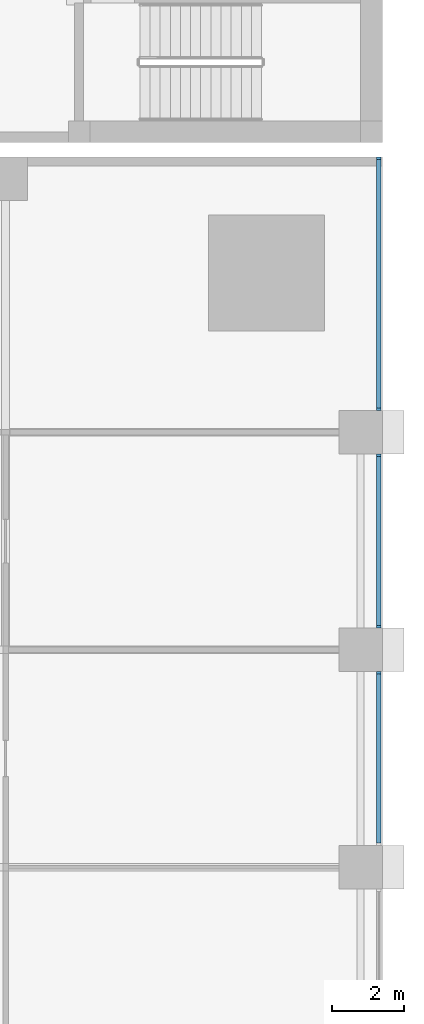
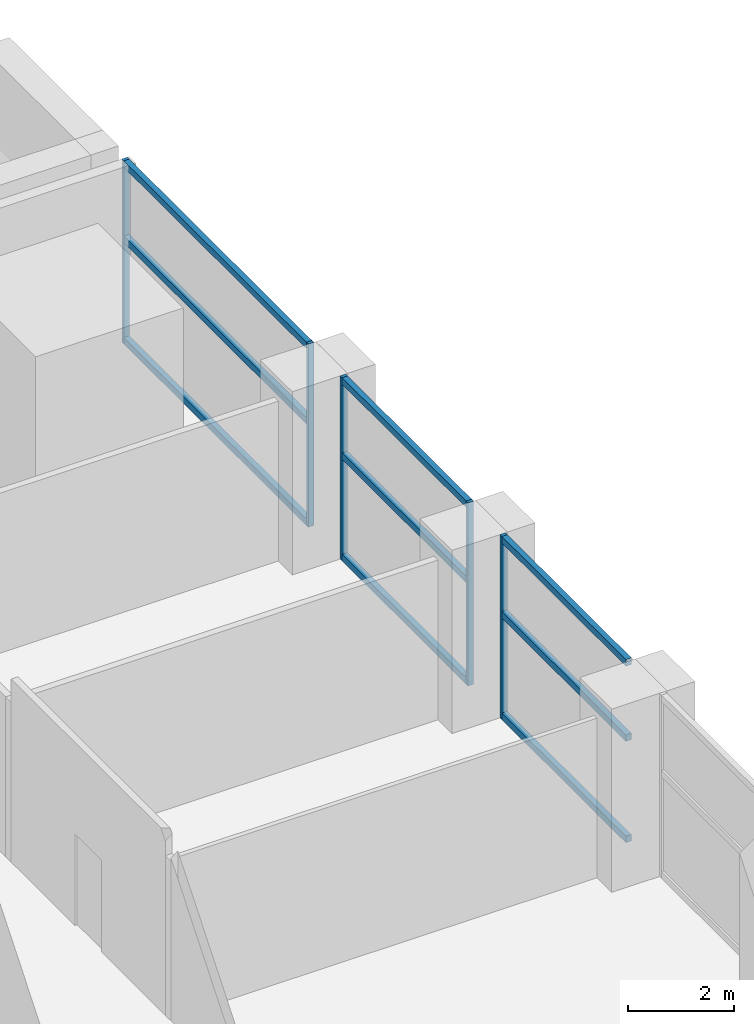
# One storey, part 7 of 25: 14 members, 3 elements without a shape of their own.
"""IFC4 building model written with IfcOpenShell, lengths in metres."""

from ifc_helpers import new_model, si_unit, direction, frame, origin, origin_2d, place, context, subcontext, project, spatial, rectangle, extrude, material, material_profile, profile_set, type_object, element, aggregate, save


model = new_model("IFC4")

# Units and contexts
model_context = context("Model", 3, precision=1e-05, world=origin(), true_north=direction((0.0, 1.0)))
body_context = subcontext(model_context, "Body", "Model", "MODEL_VIEW")
ifc_project = project(units=[si_unit("LENGTHUNIT", "METRE"), si_unit("AREAUNIT", "SQUARE_METRE"), si_unit("VOLUMEUNIT", "CUBIC_METRE"), si_unit("PLANEANGLEUNIT", "RADIAN"), si_unit("MASSUNIT", "GRAM", prefix="KILO")], contexts=[model_context])

# Site, building, storey
site_placement = place(None, origin())
site = spatial("IfcSite", under=ifc_project, at=site_placement, CompositionType="ELEMENT")
building_placement = place(site_placement, origin())
building = spatial("IfcBuilding", under=site, at=building_placement, Name="Amberfall Residences", CompositionType="ELEMENT")
storey_placement = place(building_placement, frame((0.0, 0.0, 14.5)))
storey = spatial("IfcBuildingStorey", under=building, at=storey_placement, Name="L03", CompositionType="ELEMENT", Elevation=14.5)

# Curtain wall, member
ifc_material_1 = material(Name="Bronze anodised aluminium and glass", Category="aluminium")
curtain_wall_type = type_object("IfcCurtainWallType", Name="Curtain wall CW4 podium storefront", PredefinedType="USERDEFINED", material=ifc_material_1)
curtain_wall_1_placement = place(storey_placement, origin())
curtain_wall_1 = element("IfcCurtainWall", 1, at=curtain_wall_1_placement, inside=storey, type_object=curtain_wall_type, Name="Storefront L03 E5", ObjectType="UNITISED CURTAIN WALL", PredefinedType="USERDEFINED")
ifc_material_2 = material(Name="Bronze anodised aluminium", Category="aluminium")
ifc_material_profile_1 = material_profile(ifc_material_2, rectangle(XDim=0.1201171875, YDim=0.070068359375, at=origin_2d()), Name="CW4 mullion 70 x 120 bronze")
ifc_profile_set_1 = profile_set([ifc_material_profile_1], Name="Bronze anodised aluminium")
member_type_1 = type_object("IfcMemberType", Name="CW4 mullion 70 x 120 bronze", PredefinedType="MULLION", material=ifc_profile_set_1)
member_1_placement = place(storey_placement, frame((99.89990234375, 53.764892578125, 0.0), z_axis=(0.0, 0.0, 1.0), x_axis=(-1.0, 0.0, 0.0)))
member_1 = element("IfcMember", 2, at=member_1_placement, type_object=member_type_1, Name="CW4 mullion 2", PredefinedType="MULLION", context=body_context, shape_type="SweptSolid", body=[
    extrude(rectangle(XDim=0.1201171875, YDim=0.070068359375, at=origin_2d()), origin(), (0.0, 0.0, 1.0), 4.199951171875),
])

# Curtain wall, members
curtain_wall_2_placement = place(storey_placement, origin())
curtain_wall_2 = element("IfcCurtainWall", 3, at=curtain_wall_2_placement, inside=storey, type_object=curtain_wall_type, Name="Storefront L03 E6", ObjectType="UNITISED CURTAIN WALL", PredefinedType="USERDEFINED")
member_2_placement = place(storey_placement, frame((99.89990234375, 55.034912109375, 0.0), z_axis=(0.0, 0.0, 1.0), x_axis=(-1.0, 0.0, 0.0)))
member_2 = element("IfcMember", 4, at=member_2_placement, type_object=member_type_1, Name="CW4 mullion 1", PredefinedType="MULLION", context=body_context, shape_type="SweptSolid", body=[
    extrude(rectangle(XDim=0.1201171875, YDim=0.070068359375, at=origin_2d()), origin(), (0.0, 0.0, 1.0), 4.199951171875),
])
member_3_placement = place(storey_placement, frame((99.89990234375, 59.764892578125, 0.0), z_axis=(0.0, 0.0, 1.0), x_axis=(-1.0, 0.0, 0.0)))
member_3 = element("IfcMember", 5, at=member_3_placement, type_object=member_type_1, Name="CW4 mullion 2", PredefinedType="MULLION", context=body_context, shape_type="SweptSolid", body=[
    extrude(rectangle(XDim=0.1201171875, YDim=0.070068359375, at=origin_2d()), origin(), (0.0, 0.0, 1.0), 4.199951171875),
])

curtain_wall_3_placement = place(storey_placement, origin())
curtain_wall_3 = element("IfcCurtainWall", 6, at=curtain_wall_3_placement, inside=storey, type_object=curtain_wall_type, Name="Storefront L03 E7", ObjectType="UNITISED CURTAIN WALL", PredefinedType="USERDEFINED")
member_4_placement = place(storey_placement, frame((99.89990234375, 61.034912109375, 0.0), z_axis=(0.0, 0.0, 1.0), x_axis=(-1.0, 0.0, 0.0)))
member_4 = element("IfcMember", 7, at=member_4_placement, type_object=member_type_1, Name="CW4 mullion 1", PredefinedType="MULLION", context=body_context, shape_type="SweptSolid", body=[
    extrude(rectangle(XDim=0.1201171875, YDim=0.070068359375, at=origin_2d()), origin(), (0.0, 0.0, 1.0), 4.199951171875),
])
member_5_placement = place(storey_placement, frame((99.89990234375, 67.965087890625, 0.0), z_axis=(0.0, 0.0, 1.0), x_axis=(-1.0, 0.0, 0.0)))
member_5 = element("IfcMember", 8, at=member_5_placement, type_object=member_type_1, Name="CW4 mullion 2", PredefinedType="MULLION", context=body_context, shape_type="SweptSolid", body=[
    extrude(rectangle(XDim=0.1201171875, YDim=0.070068359375, at=origin_2d()), origin(), (0.0, 0.0, 1.0), 4.199951171875),
])

# Member
ifc_material_profile_2 = material_profile(ifc_material_2, rectangle(XDim=0.1201171875, YDim=0.14990234375, at=origin_2d()), Name="CW4 transom 120 x 150 bronze")
ifc_profile_set_2 = profile_set([ifc_material_profile_2], Name="Bronze anodised aluminium")
member_type_2 = type_object("IfcMemberType", Name="CW4 transom 120 x 150 bronze", PredefinedType="USERDEFINED", material=ifc_profile_set_2)
member_6_placement = place(storey_placement, frame((99.89990234375, 49.070068359375, 0.074951171875), z_axis=(0.0, 1.0, 0.0), x_axis=(-1.0, 0.0, 0.0)))
member_6 = element("IfcMember", 9, at=member_6_placement, type_object=member_type_2, Name="CW4 transom 1.1", ObjectType="TRANSOM", PredefinedType="USERDEFINED", context=body_context, shape_type="SweptSolid", body=[
    extrude(rectangle(XDim=0.1201171875, YDim=0.14990234375, at=origin_2d()), origin(), (0.0, 0.0, 1.0), 4.659912109375),
])

member_7_placement = place(storey_placement, frame((99.89990234375, 49.070068359375, 2.39990234375), z_axis=(0.0, 1.0, 0.0), x_axis=(-1.0, 0.0, 0.0)))
member_7 = element("IfcMember", 10, at=member_7_placement, type_object=member_type_2, Name="CW4 transom 1.2", ObjectType="TRANSOM", PredefinedType="USERDEFINED", context=body_context, shape_type="SweptSolid", body=[
    extrude(rectangle(XDim=0.1201171875, YDim=0.14990234375, at=origin_2d()), origin(), (0.0, 0.0, 1.0), 4.659912109375),
])

member_8_placement = place(storey_placement, frame((99.89990234375, 49.070068359375, 4.125), z_axis=(0.0, 1.0, 0.0), x_axis=(-1.0, 0.0, 0.0)))
member_8 = element("IfcMember", 11, at=member_8_placement, type_object=member_type_2, Name="CW4 transom 1.3", ObjectType="TRANSOM", PredefinedType="USERDEFINED", context=body_context, shape_type="SweptSolid", body=[
    extrude(rectangle(XDim=0.1201171875, YDim=0.14990234375, at=origin_2d()), origin(), (0.0, 0.0, 1.0), 4.659912109375),
])

aggregate(curtain_wall_1, [member_1, member_6, member_7, member_8])

member_9_placement = place(storey_placement, frame((99.89990234375, 55.070068359375, 0.074951171875), z_axis=(0.0, 1.0, 0.0), x_axis=(-1.0, 0.0, 0.0)))
member_9 = element("IfcMember", 12, at=member_9_placement, type_object=member_type_2, Name="CW4 transom 1.1", ObjectType="TRANSOM", PredefinedType="USERDEFINED", context=body_context, shape_type="SweptSolid", body=[
    extrude(rectangle(XDim=0.1201171875, YDim=0.14990234375, at=origin_2d()), origin(), (0.0, 0.0, 1.0), 4.659912109375),
])

member_10_placement = place(storey_placement, frame((99.89990234375, 55.070068359375, 2.39990234375), z_axis=(0.0, 1.0, 0.0), x_axis=(-1.0, 0.0, 0.0)))
member_10 = element("IfcMember", 13, at=member_10_placement, type_object=member_type_2, Name="CW4 transom 1.2", ObjectType="TRANSOM", PredefinedType="USERDEFINED", context=body_context, shape_type="SweptSolid", body=[
    extrude(rectangle(XDim=0.1201171875, YDim=0.14990234375, at=origin_2d()), origin(), (0.0, 0.0, 1.0), 4.659912109375),
])

member_11_placement = place(storey_placement, frame((99.89990234375, 55.070068359375, 4.125), z_axis=(0.0, 1.0, 0.0), x_axis=(-1.0, 0.0, 0.0)))
member_11 = element("IfcMember", 14, at=member_11_placement, type_object=member_type_2, Name="CW4 transom 1.3", ObjectType="TRANSOM", PredefinedType="USERDEFINED", context=body_context, shape_type="SweptSolid", body=[
    extrude(rectangle(XDim=0.1201171875, YDim=0.14990234375, at=origin_2d()), origin(), (0.0, 0.0, 1.0), 4.659912109375),
])

aggregate(curtain_wall_2, [member_2, member_3, member_9, member_10, member_11])

member_12_placement = place(storey_placement, frame((99.89990234375, 61.070068359375, 0.074951171875), z_axis=(0.0, 1.0, 0.0), x_axis=(-1.0, 0.0, 0.0)))
member_12 = element("IfcMember", 15, at=member_12_placement, type_object=member_type_2, Name="CW4 transom 1.1", ObjectType="TRANSOM", PredefinedType="USERDEFINED", context=body_context, shape_type="SweptSolid", body=[
    extrude(rectangle(XDim=0.1201171875, YDim=0.14990234375, at=origin_2d()), origin(), (0.0, 0.0, 1.0), 6.85986328125),
])

member_13_placement = place(storey_placement, frame((99.89990234375, 61.070068359375, 2.39990234375), z_axis=(0.0, 1.0, 0.0), x_axis=(-1.0, 0.0, 0.0)))
member_13 = element("IfcMember", 16, at=member_13_placement, type_object=member_type_2, Name="CW4 transom 1.2", ObjectType="TRANSOM", PredefinedType="USERDEFINED", context=body_context, shape_type="SweptSolid", body=[
    extrude(rectangle(XDim=0.1201171875, YDim=0.14990234375, at=origin_2d()), origin(), (0.0, 0.0, 1.0), 6.85986328125),
])

member_14_placement = place(storey_placement, frame((99.89990234375, 61.070068359375, 4.125), z_axis=(0.0, 1.0, 0.0), x_axis=(-1.0, 0.0, 0.0)))
member_14 = element("IfcMember", 17, at=member_14_placement, type_object=member_type_2, Name="CW4 transom 1.3", ObjectType="TRANSOM", PredefinedType="USERDEFINED", context=body_context, shape_type="SweptSolid", body=[
    extrude(rectangle(XDim=0.1201171875, YDim=0.14990234375, at=origin_2d()), origin(), (0.0, 0.0, 1.0), 6.85986328125),
])

aggregate(curtain_wall_3, [member_4, member_5, member_12, member_13, member_14])

save(model, "model.ifc")
